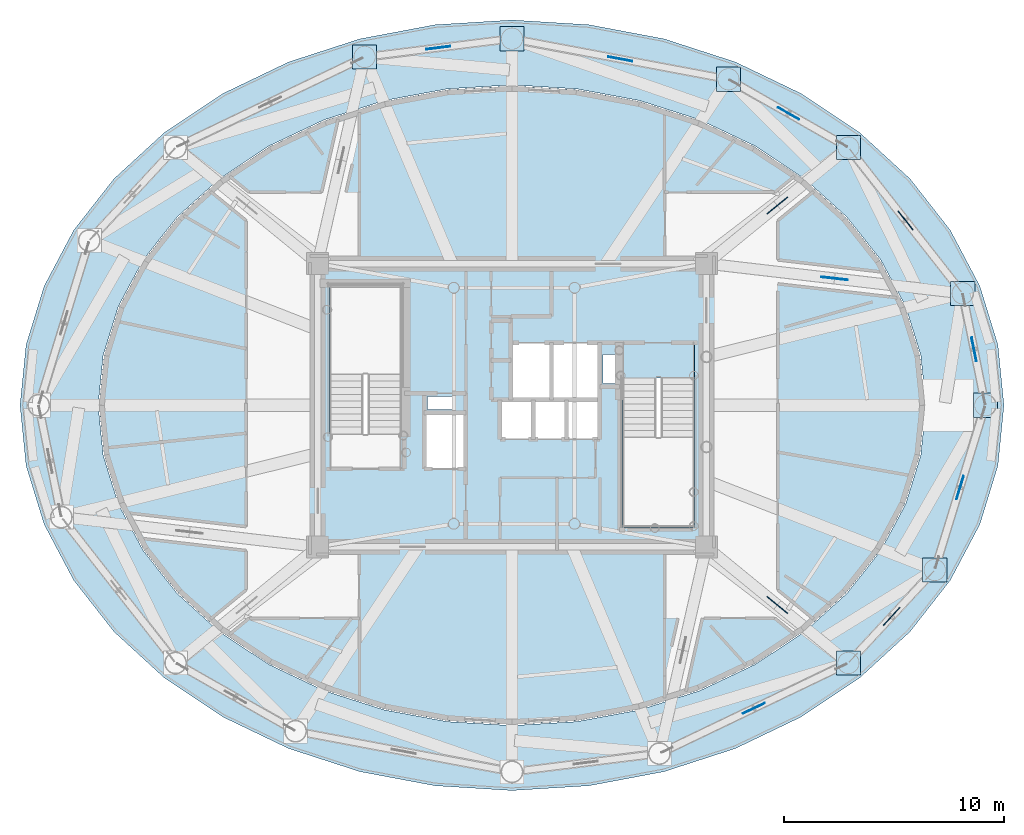
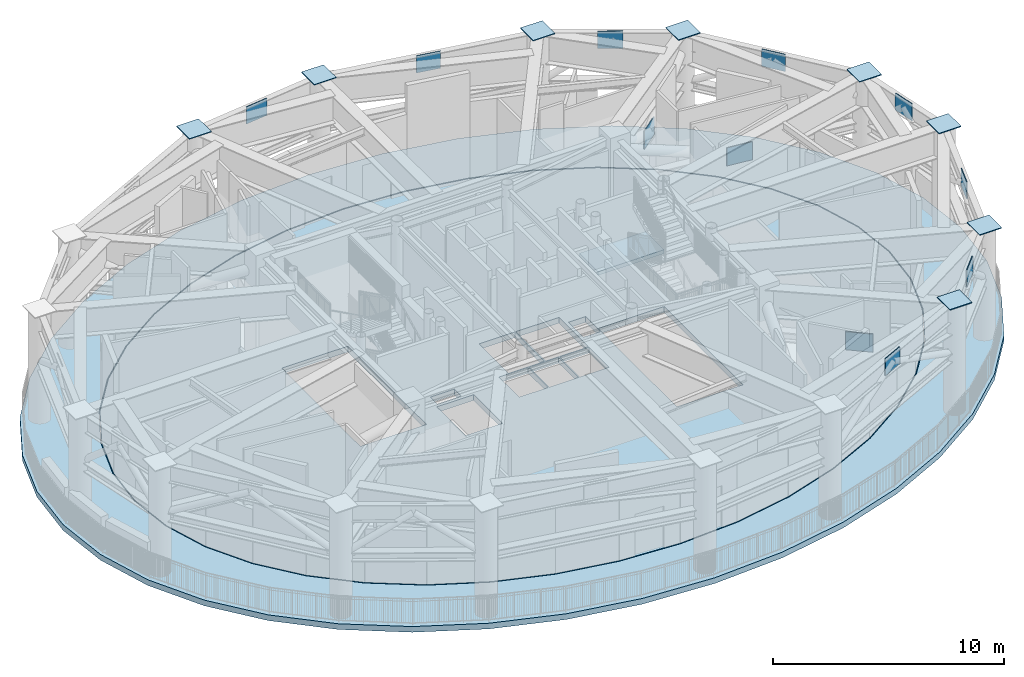
# One storey, part 5 of 17: 19 plates, 3 slabs, 1 element without a shape of its own.
"""IFC4 building model written with IfcOpenShell, lengths in metres."""

from ifc_helpers import new_model, si_unit, direction, frame, origin, origin_2d, place, context, subcontext, project, spatial, polyline, rectangle, outline, extrude, source, transform, mapped, material, layer, layer_set, type_object, element, aggregate, save


model = new_model("IFC4")

# Units and contexts
model_context = context("Model", 3, precision=1e-05, world=origin(), true_north=direction((0.0, 1.0)))
body_context = subcontext(model_context, "Body", "Model", "MODEL_VIEW")
ifc_project = project(units=[si_unit("LENGTHUNIT", "METRE"), si_unit("AREAUNIT", "SQUARE_METRE"), si_unit("VOLUMEUNIT", "CUBIC_METRE"), si_unit("PLANEANGLEUNIT", "RADIAN"), si_unit("MASSUNIT", "GRAM", prefix="KILO")], contexts=[model_context])

# Site, building, storey
site_placement = place(None, origin())
site = spatial("IfcSite", under=ifc_project, at=site_placement, CompositionType="ELEMENT")
building_placement = place(site_placement, origin())
building = spatial("IfcBuilding", under=site, at=building_placement, Name="Linh Dai School and Residence Tower", CompositionType="ELEMENT")
storey_placement = place(building_placement, frame((0.0, 0.0, 318.0)))
storey = spatial("IfcBuildingStorey", under=building, at=storey_placement, Name="L79", CompositionType="ELEMENT", Elevation=318.0)

# Slabs
ifc_material_1 = material(Name="Concrete B45 (C35/45)", Category="concrete")
ifc_layer_1 = layer(ifc_material_1, 0.300048828125)
ifc_layer_set_1 = layer_set([ifc_layer_1], Name="Concrete B45 (C35/45)")
slab_type_1 = type_object("IfcSlabType", Name="SLB-DECK300", PredefinedType="FLOOR", material=ifc_layer_set_1)
slab_1_placement = place(storey_placement, frame((0.0, 0.0, -0.300048828125)))
element("IfcSlab", 1, at=slab_1_placement, inside=storey, type_object=slab_type_1, Name="L79 Turbine & Refuge Sky Deck Slab", PredefinedType="FLOOR", context=body_context, shape_type="SweptSolid", body=[
    extrude(outline(polyline([(58.39990234375, 27.0), (58.124267578125, 29.743896484375), (57.3037109375, 32.420166015625), (55.95849609375, 34.962890625), (54.1220703125, 37.309814453125), (51.839111328125, 39.402587890625), (49.16650390625, 41.190185546875), (46.16943359375, 42.628173828125), (42.921875, 43.681640625), (39.504150390625, 44.323974609375), (36.0, 44.5400390625), (32.495849609375, 44.323974609375), (29.078125, 43.681640625), (25.83056640625, 42.628173828125), (22.83349609375, 41.190185546875), (20.160888671875, 39.402587890625), (17.8779296875, 37.309814453125), (16.04150390625, 34.962890625), (14.6962890625, 32.420166015625), (13.875732421875, 29.743896484375), (13.60009765625, 27.0), (13.875732421875, 24.256103515625), (14.6962890625, 21.579833984375), (16.04150390625, 19.037109375), (17.8779296875, 16.690185546875), (20.160888671875, 14.597412109375), (22.83349609375, 12.809814453125), (25.83056640625, 11.371826171875), (29.078125, 10.318359375), (32.495849609375, 9.676025390625), (36.0, 9.4599609375), (39.504150390625, 9.676025390625), (42.921875, 10.318359375), (46.16943359375, 11.371826171875), (49.16650390625, 12.809814453125), (51.839111328125, 14.597412109375), (54.1220703125, 16.690185546875), (55.95849609375, 19.037109375), (57.3037109375, 21.579833984375), (58.124267578125, 24.256103515625), (58.39990234375, 27.0)]), holes=[polyline([(54.840087890625, 27.0), (54.608154296875, 29.28076171875), (53.91796875, 31.50537109375), (52.78662109375, 33.619140625), (51.241943359375, 35.56982421875), (49.32177734375, 37.3095703125), (47.073974609375, 38.79541015625), (44.55322265625, 39.990966796875), (41.82177734375, 40.866455078125), (38.947265625, 41.400390625), (36.0, 41.580078125), (33.052734375, 41.400390625), (30.17822265625, 40.866455078125), (27.44677734375, 39.990966796875), (24.926025390625, 38.79541015625), (22.67822265625, 37.3095703125), (20.758056640625, 35.56982421875), (19.21337890625, 33.619140625), (18.08203125, 31.50537109375), (17.391845703125, 29.28076171875), (17.159912109375, 27.0), (17.391845703125, 24.71923828125), (18.08203125, 22.49462890625), (19.21337890625, 20.380859375), (20.758056640625, 18.43017578125), (22.67822265625, 16.6904296875), (24.926025390625, 15.20458984375), (27.44677734375, 14.009033203125), (30.17822265625, 13.133544921875), (33.052734375, 12.599609375), (36.0, 12.419921875), (38.947265625, 12.599609375), (41.82177734375, 13.133544921875), (44.55322265625, 14.009033203125), (47.073974609375, 15.20458984375), (49.32177734375, 16.6904296875), (51.241943359375, 18.43017578125), (52.78662109375, 20.380859375), (53.91796875, 22.49462890625), (54.608154296875, 24.71923828125), (54.840087890625, 27.0)])]), origin(), (0.0, 0.0, 1.0), 0.300048828125),
])
ifc_layer_2 = layer(ifc_material_1, 0.300048828125)
ifc_layer_set_2 = layer_set([ifc_layer_2], Name="Concrete B45 (C35/45)")
slab_type_2 = type_object("IfcSlabType", Name="SLB-FLR300", PredefinedType="FLOOR", material=ifc_layer_set_2)
slab_2_placement = place(storey_placement, frame((0.0, 0.0, -0.300048828125)))
element("IfcSlab", 2, at=slab_2_placement, inside=storey, type_object=slab_type_2, Name="L79 Refuge & Mechanical Plant Indoor Slab", PredefinedType="FLOOR", context=body_context, shape_type="SweptSolid", body=[
    extrude(outline(polyline([(54.800048828125, 27.0), (54.568603515625, 29.274658203125), (53.8798828125, 31.4931640625), (52.7509765625, 33.60107421875), (51.20947265625, 35.54638671875), (49.293701171875, 37.28125), (47.05029296875, 38.76318359375), (44.534912109375, 39.955322265625), (41.8095703125, 40.828369140625), (38.94091796875, 41.361083984375), (36.0, 41.5400390625), (33.05908203125, 41.361083984375), (30.1904296875, 40.828369140625), (27.465087890625, 39.955322265625), (24.94970703125, 38.76318359375), (22.706298828125, 37.28125), (20.79052734375, 35.54638671875), (19.2490234375, 33.60107421875), (18.1201171875, 31.4931640625), (17.431396484375, 29.274658203125), (17.199951171875, 27.0), (17.431396484375, 24.725341796875), (18.1201171875, 22.5068359375), (19.2490234375, 20.39892578125), (20.79052734375, 18.45361328125), (22.706298828125, 16.71875), (24.94970703125, 15.23681640625), (27.465087890625, 14.044677734375), (30.1904296875, 13.171630859375), (33.05908203125, 12.638916015625), (36.0, 12.4599609375), (38.94091796875, 12.638916015625), (41.8095703125, 13.171630859375), (44.534912109375, 14.044677734375), (47.05029296875, 15.23681640625), (49.293701171875, 16.71875), (51.20947265625, 18.45361328125), (52.7509765625, 20.39892578125), (53.8798828125, 22.5068359375), (54.568603515625, 24.725341796875), (54.800048828125, 27.0)]), holes=[polyline([(30.97998046875, 25.699951171875), (30.97998046875, 32.5), (27.679931640625, 32.5), (27.679931640625, 25.699951171875), (30.97998046875, 25.699951171875)]), polyline([(41.02001953125, 28.25), (41.02001953125, 21.449951171875), (44.320068359375, 21.449951171875), (44.320068359375, 28.25), (41.02001953125, 28.25)]), polyline([(35.97998046875, 27.280029296875), (37.77001953125, 27.280029296875), (37.77001953125, 29.820068359375), (35.97998046875, 29.820068359375), (35.97998046875, 27.280029296875)]), polyline([(32.030029296875, 24.1298828125), (33.8701171875, 24.1298828125), (33.8701171875, 26.6201171875), (32.030029296875, 26.6201171875), (32.030029296875, 24.1298828125)]), polyline([(37.830078125, 27.280029296875), (39.969970703125, 27.280029296875), (39.969970703125, 29.820068359375), (37.830078125, 29.820068359375), (37.830078125, 27.280029296875)]), polyline([(35.47998046875, 25.47998046875), (36.929931640625, 25.47998046875), (36.929931640625, 27.219970703125), (35.47998046875, 27.219970703125), (35.47998046875, 25.47998046875)]), polyline([(36.989990234375, 25.47998046875), (38.449951171875, 25.47998046875), (38.449951171875, 27.219970703125), (36.989990234375, 27.219970703125), (36.989990234375, 25.47998046875)]), polyline([(38.510009765625, 25.47998046875), (39.969970703125, 25.47998046875), (39.969970703125, 27.219970703125), (38.510009765625, 27.219970703125), (38.510009765625, 25.47998046875)]), polyline([(40.14990234375, 28.0), (40.14990234375, 29.300048828125), (41.0, 29.300048828125), (41.0, 28.280029296875), (40.989990234375, 28.280029296875), (40.989990234375, 28.0), (40.14990234375, 28.0)]), polyline([(32.14990234375, 26.800048828125), (33.35009765625, 26.800048828125), (33.35009765625, 27.39990234375), (32.14990234375, 27.39990234375), (32.14990234375, 26.800048828125)])]), origin(), (0.0, 0.0, 1.0), 0.300048828125),
])

# Stair, slab
stair_type = type_object("IfcStairType", Name="ST-DOG-1550-R1500", PredefinedType="HALF_TURN_STAIR", material=ifc_material_1)
stair_placement = place(storey_placement, origin())
stair = element("IfcStair", 3, at=stair_placement, inside=storey, type_object=stair_type, Name="L79 Core Smokeproof Exit Stair ST2", PredefinedType="HALF_TURN_STAIR")
ifc_layer_3 = layer(ifc_material_1, 0.199951171875)
ifc_layer_set_3 = layer_set([ifc_layer_3], Name="Concrete B45 (C35/45)")
slab_type_3 = type_object("IfcSlabType", Name="SLB-ST-LANDING-200", PredefinedType="LANDING", material=ifc_layer_set_3)
slab_3_placement = place(storey_placement, frame((0.0, 0.0, 2.800048828125)))
slab_3 = element("IfcSlab", 4, at=slab_3_placement, type_object=slab_type_3, Name="ST2 landing 2", PredefinedType="LANDING", context=body_context, shape_type="SweptSolid", body=[
    extrude(outline(polyline([(41.02001953125, 29.85009765625), (41.02001953125, 28.25), (44.320068359375, 28.25), (44.320068359375, 29.85009765625), (41.02001953125, 29.85009765625)])), origin(), (0.0, 0.0, 1.0), 0.199951171875),
])
aggregate(stair, [slab_3])

# Plates
ifc_material_2 = material(Name="Structural Steel S355JR", Category="steel")
ifc_layer_4 = layer(ifc_material_2, 0.0400390625)
ifc_layer_set_4 = layer_set([ifc_layer_4], Name="Structural Steel S355JR")
plate_type = type_object("IfcPlateType", Name="PLT-GP1", PredefinedType="USERDEFINED", material=ifc_layer_set_4)
shared_shape_1 = source(origin(), body_context, "Body", "SweptSolid", [
    extrude(rectangle(XDim=1.10009765625, YDim=1.10009765625, at=origin_2d()), origin(), (0.0, 0.0, 1.0), 0.0400390625),
])
for number, where, z_axis, x_axis, name in (
    (5, (57.550048828125, 27.0, 5.75), (0.0, 0.0, 1.0), (1.0, 0.0, 0.0), "L79 MC01 Column Cap Plate"),
    (6, (56.5185546875, 32.094482421875, 5.75), (0.0, 0.0, 1.0), (1.0, 0.0, 0.0), "L79 MC02 Column Cap Plate"),
    (7, (51.315185546875, 38.7333984375, 5.75), (0.0, 0.0, 1.0), (1.0, 0.0, 0.0), "L79 MC03 Column Cap Plate"),
    (8, (45.8544921875, 41.8388671875, 5.75), (0.0, 0.0, 1.0), (1.0, 0.0, 0.0), "L79 MC04 Column Cap Plate"),
    (9, (36.0, 43.68994140625, 5.75), (0.0, 0.0, 1.0), (1.0, 0.0, 0.0), "L79 MC05 Column Cap Plate"),
    (10, (29.28759765625, 42.857666015625, 5.75), (0.0, 0.0, 1.0), (1.0, 0.0, 0.0), "L79 MC06 Column Cap Plate"),
    (11, (51.315185546875, 15.2666015625, 5.75), (0.0, 0.0, 1.0), (1.0, 0.0, 0.0), "L79 MC15 Column Cap Plate"),
    (12, (55.24609375, 19.50048828125, 5.75), (0.0, 0.0, 1.0), (1.0, 0.0, 0.0), "L79 MC16 Column Cap Plate"),
):
    element("IfcPlate", number, at=place(storey_placement, frame(where, z_axis=z_axis, x_axis=x_axis)), inside=storey, type_object=plate_type, Name=name, ObjectType="GUSSET PLATE", PredefinedType="USERDEFINED", context=body_context, shape_type="MappedRepresentation", body=[
        mapped(shared_shape_1, transform((0.0, 0.0, 0.0), x_axis=(1.0, 0.0, 0.0), y_axis=(0.0, 1.0, 0.0), z_axis=(0.0, 0.0, 1.0), scale=1.0)),
    ])
shared_shape_2 = source(origin(), body_context, "Body", "SweptSolid", [
    extrude(rectangle(XDim=1.10009765625, YDim=0.0400390625, at=origin_2d()), origin(), (0.0, 0.0, 1.0), 0.89990234375),
])
for number, where, z_axis, x_axis, name in (
    (13, (57.0341796875, 29.547119140625, 4.85009765625), (0.0, 0.0, 1.0), (-0.198437226319, 0.980113599136, 0.0), "L79 Belt Truss BT4 Node Gusset Plate 01"),
    (14, (53.916748046875, 35.413818359375, 4.85009765625), (0.0, 0.0, 1.0), (-0.616871256909, 0.787064071343, 0.0), "L79 Belt Truss BT4 Node Gusset Plate 02"),
    (15, (48.584716796875, 40.2861328125, 4.85009765625), (0.0, 0.0, 1.0), (-0.86927465453, 0.494329419508, 0.0), "L79 Belt Truss BT4 Node Gusset Plate 03"),
    (16, (40.92724609375, 42.764404296875, 4.85009765625), (0.0, 0.0, 1.0), (-0.982808384119, 0.184628492127, 0.0), "L79 Belt Truss BT4 Node Gusset Plate 04"),
    (17, (32.643798828125, 43.27392578125, 4.85009765625), (0.0, 0.0, 1.0), (-0.992401563262, -0.123041201373, 0.0), "L79 Belt Truss BT4 Node Gusset Plate 05"),
    (18, (47.013671875, 13.204345703125, 4.85009765625), (0.0, 0.0, 1.0), (0.901725774799, 0.432308485994, 0.0), "L79 Belt Truss BT4 Node Gusset Plate 14"),
    (19, (53.280517578125, 17.383544921875, 4.85009765625), (0.0, 0.0, 1.0), (0.68039193112, 0.732848429122, 0.0), "L79 Belt Truss BT4 Node Gusset Plate 15"),
    (20, (56.39794921875, 23.250244140625, 4.85009765625), (0.0, 0.0, 1.0), (0.29366585486, 0.955908136637, 0.0), "L79 Belt Truss BT4 Node Gusset Plate 16"),
):
    element("IfcPlate", number, at=place(storey_placement, frame(where, z_axis=z_axis, x_axis=x_axis)), inside=storey, type_object=plate_type, Name=name, ObjectType="GUSSET PLATE", PredefinedType="USERDEFINED", context=body_context, shape_type="MappedRepresentation", body=[
        mapped(shared_shape_2, transform((0.0, 0.0, 0.0), x_axis=(1.0, 0.0, 0.0), y_axis=(0.0, 1.0, 0.0), z_axis=(0.0, 0.0, 1.0), scale=1.0)),
    ])
shared_shape_3 = source(origin(), body_context, "Body", "SweptSolid", [
    extrude(rectangle(XDim=1.199951171875, YDim=0.0400390625, at=origin_2d()), origin(), (0.0, 0.0, 1.0), 0.949951171875),
])
for number, where, z_axis, x_axis, name in (
    (21, (50.684326171875, 32.772216796875, 2.625), (0.0, 0.0, 1.0), (0.993319054166, -0.115400418678, 0.0), "L79 Outrigger Truss OT3 Node Gusset Plate 01"),
    (22, (48.08251953125, 36.091796875, 2.625), (0.0, 0.0, 1.0), (0.774324542403, 0.6327886717, 0.0), "L79 Outrigger Truss OT3 Node Gusset Plate 02"),
    (23, (48.08251953125, 17.908203125, 2.625), (0.0, 0.0, 1.0), (0.774324542403, -0.6327886717, 0.0), "L79 Outrigger Truss OT3 Node Gusset Plate 08"),
):
    element("IfcPlate", number, at=place(storey_placement, frame(where, z_axis=z_axis, x_axis=x_axis)), inside=storey, type_object=plate_type, Name=name, ObjectType="GUSSET PLATE", PredefinedType="USERDEFINED", context=body_context, shape_type="MappedRepresentation", body=[
        mapped(shared_shape_3, transform((0.0, 0.0, 0.0), x_axis=(1.0, 0.0, 0.0), y_axis=(0.0, 1.0, 0.0), z_axis=(0.0, 0.0, 1.0), scale=1.0)),
    ])

save(model, "model.ifc")
